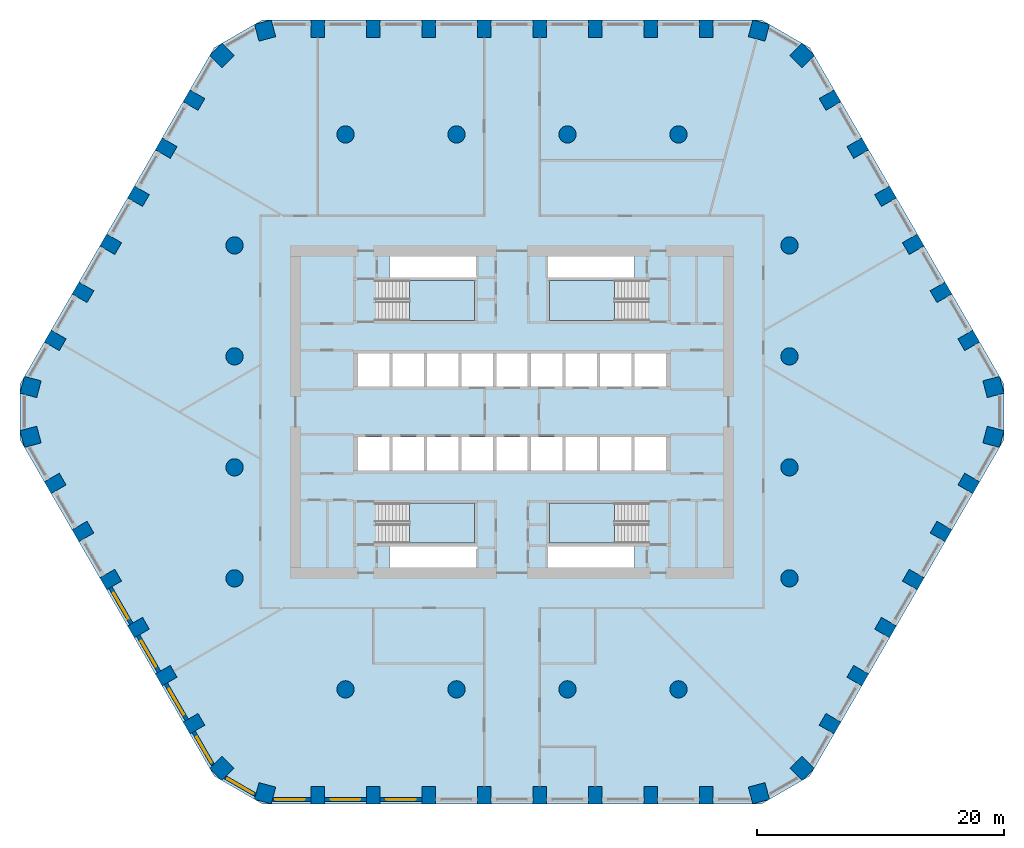
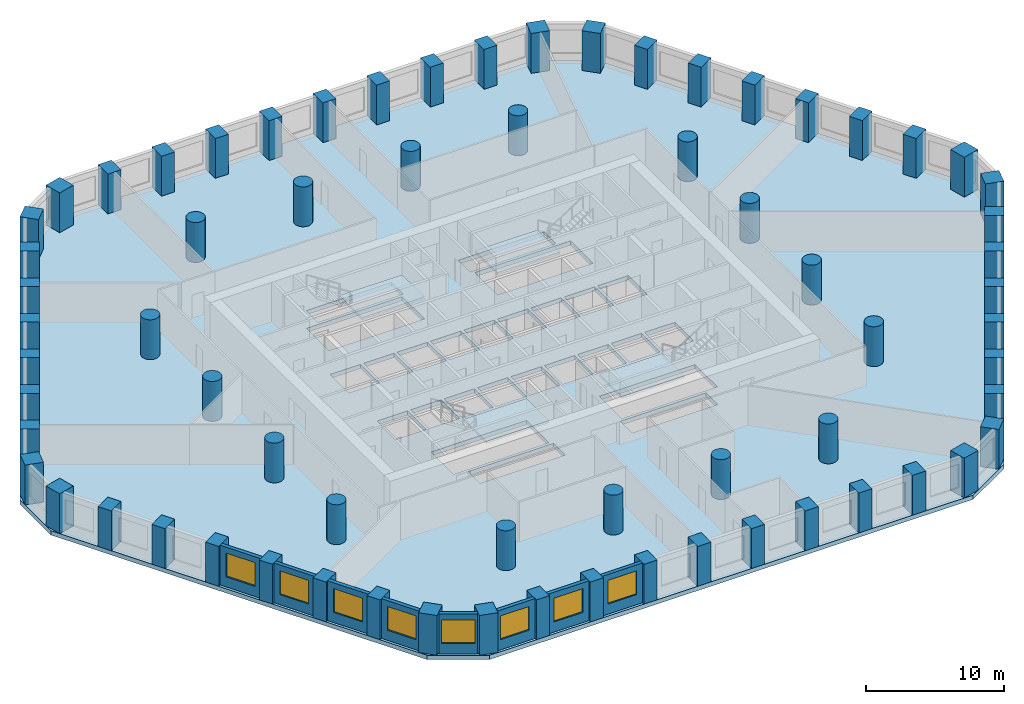
# One storey, part 1 of 10: 68 columns, 8 walls, 8 windows, 5 slabs, 8 openings, 4 elements without a shape of their own.
"""IFC4 building model written with IfcOpenShell, lengths in metres."""

import ifcopenshell
import ifcopenshell.guid

model = None  # the IFC model being written
_history = None  # IfcOwnerHistory: only IFC2X3 demands one
_inside = {}  # id of a spatial element -> (the spatial element, [elements in it])
_under = {}  # id of a project, library or spatial element -> (it, [spatial elements below it])
_declared = {}  # id of a project -> (the project, [libraries it declares])
_typed = {}  # id of a type object -> (the type object, [elements of that type])
_made_of = {}  # id of a material, layer set ... -> (it, [elements and type objects made of it])


def new_model(schema):
    """Start an empty IFC model of exactly this schema.

    Asked for "IFC4X3", IfcOpenShell would pick the latest addendum, in which some entities
    have other attributes; the version numbers below select the first issue.
    IFC2X3 requires an IfcOwnerHistory on every rooted entity: one is made here for all.
    """
    global model, _history
    if schema == "IFC4X3":
        model = ifcopenshell.file(schema_version=(4, 3, 0, 0))
    else:
        model = ifcopenshell.file(schema=schema)
    _inside.clear()
    _under.clear()
    _declared.clear()
    _typed.clear()
    _made_of.clear()
    _history = None
    if model.schema == "IFC2X3":
        org = make("IfcOrganization", Name="unknown")
        user = make(
            "IfcPersonAndOrganization",
            ThePerson=make("IfcPerson", FamilyName="unknown"),
            TheOrganization=org,
        )
        app = make(
            "IfcApplication",
            ApplicationDeveloper=org,
            Version="unknown",
            ApplicationFullName="unknown",
            ApplicationIdentifier="unknown",
        )
        _history = make(
            "IfcOwnerHistory",
            OwningUser=user,
            OwningApplication=app,
            ChangeAction="ADDED",
            CreationDate=0,
        )
    return model


def make(cls, **values):
    """One entity of the class cls with the attributes given. An attribute that is None is left unset."""
    return model.create_entity(
        cls, **{name: value for name, value in values.items() if value is not None}
    )


def rooted(cls, **values):
    """An entity with a GlobalId (a new one), such as an element, a storey or a relation."""
    return make(cls, GlobalId=ifcopenshell.guid.new(), OwnerHistory=_history, **values)


def si_unit(unit_type, name, prefix=None):
    """IfcSIUnit, for example si_unit("LENGTHUNIT", "METRE", prefix="MILLI")."""
    return make("IfcSIUnit", UnitType=unit_type, Prefix=prefix, Name=name)


def assignment(units):
    """IfcUnitAssignment: the units of a project."""
    return None if units is None else make("IfcUnitAssignment", Units=units)


def point(xyz):
    """IfcCartesianPoint."""
    return None if xyz is None else make("IfcCartesianPoint", Coordinates=xyz)


def direction(xyz):
    """IfcDirection."""
    return None if xyz is None else make("IfcDirection", DirectionRatios=xyz)


def frame(location, z_axis=None, x_axis=None):
    """IfcAxis2Placement3D, a coordinate frame: its origin and axes. An axis left out is left unset."""
    return make(
        "IfcAxis2Placement3D",
        Location=point(location),
        Axis=direction(z_axis),
        RefDirection=direction(x_axis),
    )


def frame_2d(location, x_axis=None):
    """IfcAxis2Placement2D, a coordinate frame in the plane: its origin and x axis."""
    return make(
        "IfcAxis2Placement2D", Location=point(location), RefDirection=direction(x_axis)
    )


def origin():
    """The frame at (0, 0, 0) with its axes left unset."""
    return frame((0.0, 0.0, 0.0))


def origin_2d():
    """The frame at (0, 0) in the plane with its x axis left unset."""
    return frame_2d((0.0, 0.0))


def place(relative_to, where):
    """IfcLocalPlacement: puts the frame where relative to a parent placement (None: the world)."""
    return make(
        "IfcLocalPlacement", PlacementRelTo=relative_to, RelativePlacement=where
    )


def context(
    kind, dimensions, precision=None, world=None, true_north=None, identifier=None
):
    """IfcGeometricRepresentationContext, for example the 3D "Model" context."""
    return make(
        "IfcGeometricRepresentationContext",
        ContextIdentifier=identifier,
        ContextType=kind,
        CoordinateSpaceDimension=dimensions,
        Precision=precision,
        WorldCoordinateSystem=world,
        TrueNorth=true_north,
    )


def subcontext(parent, identifier, kind, view, scale=None):
    """IfcGeometricRepresentationSubContext, for example "Body" below "Model"."""
    return make(
        "IfcGeometricRepresentationSubContext",
        ContextIdentifier=identifier,
        ContextType=kind,
        ParentContext=parent,
        TargetScale=scale,
        TargetView=view,
    )


def project(units=None, contexts=None):
    """IfcProject with its units and contexts."""
    return rooted(
        "IfcProject",
        Name="project",
        RepresentationContexts=contexts,
        UnitsInContext=assignment(units),
    )


def spatial(cls, under=None, at=None, **own):
    """A site, building, storey or space (cls), placed at a placement, below another one or the project."""
    s = rooted(cls, ObjectPlacement=at, **own)
    if under is not None:
        _under.setdefault(under.id(), (under, []))[1].append(s)
    return s


def polyline(points):
    """IfcPolyline through the points."""
    return make("IfcPolyline", Points=[point(p) for p in points])


def profile(cls, at=None, kind="AREA", **sizes):
    """A parametric profile (cls). Its sizes go by their IFC names, for example OverallWidth=200.0."""
    return make(cls, ProfileType=kind, Position=at, **sizes)


def rectangle(**sizes):
    """IfcRectangleProfileDef."""
    return profile("IfcRectangleProfileDef", **sizes)


def circle(**sizes):
    """IfcCircleProfileDef."""
    return profile("IfcCircleProfileDef", **sizes)


def outline(outer, holes=None, kind="AREA"):
    """IfcArbitraryClosedProfileDef: a profile drawn as a closed curve; with holes, ...WithVoids."""
    if holes is None:
        return make("IfcArbitraryClosedProfileDef", ProfileType=kind, OuterCurve=outer)
    return make(
        "IfcArbitraryProfileDefWithVoids",
        ProfileType=kind,
        OuterCurve=outer,
        InnerCurves=holes,
    )


def extrude(swept, where, along, depth):
    """IfcExtrudedAreaSolid: the profile swept, set in the frame where, extruded along a direction by depth."""
    return make(
        "IfcExtrudedAreaSolid",
        SweptArea=swept,
        Position=where,
        ExtrudedDirection=direction(along),
        Depth=depth,
    )


def shape(context_of_items, identifier, shape_type, items):
    """IfcShapeRepresentation: the items that make up one representation, for example the "Body"."""
    return make(
        "IfcShapeRepresentation",
        ContextOfItems=context_of_items,
        RepresentationIdentifier=identifier,
        RepresentationType=shape_type,
        Items=items,
    )


def material(Name=None, Category=None):
    """IfcMaterial."""
    return make("IfcMaterial", Name=Name, Category=Category)


def layer(
    of_material, thickness, ventilated=None, Name=None, Category=None, Priority=None
):
    """IfcMaterialLayer: one layer of a wall or slab, of a material (None: an air gap)."""
    return make(
        "IfcMaterialLayer",
        Material=of_material,
        LayerThickness=thickness,
        IsVentilated=ventilated,
        Name=Name,
        Category=Category,
        Priority=Priority,
    )


def layer_set(layers, Name=None):
    """IfcMaterialLayerSet."""
    return make("IfcMaterialLayerSet", MaterialLayers=layers, LayerSetName=Name)


def material_profile(
    of_material, cross_section, Name=None, Category=None, Priority=None
):
    """IfcMaterialProfile: a cross section and its material."""
    return make(
        "IfcMaterialProfile",
        Name=Name,
        Material=of_material,
        Profile=cross_section,
        Priority=Priority,
        Category=Category,
    )


def profile_set(profiles, Name=None, composite=None):
    """IfcMaterialProfileSet."""
    return make(
        "IfcMaterialProfileSet",
        Name=Name,
        MaterialProfiles=profiles,
        CompositeProfile=composite,
    )


def made_of(thing, what):
    """Note that an element or type object is made of a material, layer set ...; save() writes the relation."""
    if what is not None:
        _made_of.setdefault(what.id(), (what, []))[1].append(thing)
    return thing


def type_object(cls, material=None, **own):
    """A type object (cls), such as IfcWallType, which elements share."""
    return made_of(rooted(cls, **own), material)


def element(
    cls,
    number,
    at=None,
    inside=None,
    cuts=None,
    type_object=None,
    material=None,
    context=None,
    identifier="Body",
    shape_type=None,
    held_by="IfcProductDefinitionShape",
    body=None,
    shapes=None,
    **own,
):
    """One element of the class cls, such as IfcWall. Its Tag is "e" and its number.

    at: its placement. inside: the storey or other place that contains it. cuts: it is an
    opening in that element (IfcRelVoidsElement). A single representation is given by context,
    identifier, shape_type and body (its items); several are given by shapes. held_by: the class
    of the entity that holds the representations. save() writes the other relations.
    """
    e = rooted(cls, Tag="e%d" % number, ObjectPlacement=at, **own)
    if body is not None:
        shapes = [shape(context, identifier, shape_type, body)]
    if shapes is not None:
        e.Representation = make(held_by, Representations=shapes)
    if inside is not None:
        _inside.setdefault(inside.id(), (inside, []))[1].append(e)
    if cuts is not None:
        rooted(
            "IfcRelVoidsElement", RelatingBuildingElement=cuts, RelatedOpeningElement=e
        )
    if type_object is not None:
        _typed.setdefault(type_object.id(), (type_object, []))[1].append(e)
    return made_of(e, material)


def fill(opening, filler):
    """IfcRelFillsElement: the door or window that sits in an opening."""
    return rooted(
        "IfcRelFillsElement",
        RelatingOpeningElement=opening,
        RelatedBuildingElement=filler,
    )


def aggregate(whole, parts):
    """IfcRelAggregates: a whole, such as a stair, and the parts it consists of."""
    return rooted("IfcRelAggregates", RelatingObject=whole, RelatedObjects=parts)


def save(model, path):
    """Write the relations noted so far, then the file.

    IfcRelAggregates (storeys below a building ...), IfcRelContainedInSpatialStructure (elements
    in a storey), IfcRelDefinesByType, IfcRelAssociatesMaterial and IfcRelDeclares: one each for
    every whole, place, type object, material and project.
    """
    for whole, parts in _under.values():
        aggregate(whole, parts)
    for where, things in _inside.values():
        rooted(
            "IfcRelContainedInSpatialStructure",
            RelatedElements=things,
            RelatingStructure=where,
        )
    for kind, things in _typed.values():
        rooted("IfcRelDefinesByType", RelatedObjects=things, RelatingType=kind)
    for what, things in _made_of.values():
        rooted("IfcRelAssociatesMaterial", RelatedObjects=things, RelatingMaterial=what)
    for by, libraries in _declared.values():
        rooted("IfcRelDeclares", RelatingContext=by, RelatedDefinitions=libraries)
    model.write(path)


model = new_model("IFC4")

# Units and contexts
model_context = context("Model", 3, precision=1e-05, world=origin(), true_north=direction((0.0, 1.0)))
body_context = subcontext(model_context, "Body", "Model", "MODEL_VIEW")
ifc_project = project(units=[si_unit("LENGTHUNIT", "METRE"), si_unit("AREAUNIT", "SQUARE_METRE"), si_unit("VOLUMEUNIT", "CUBIC_METRE"), si_unit("PLANEANGLEUNIT", "RADIAN"), si_unit("MASSUNIT", "GRAM", prefix="KILO")], contexts=[model_context])

# Site, building, storey
site_placement = place(None, origin())
site = spatial("IfcSite", under=ifc_project, at=site_placement, CompositionType="ELEMENT")
building_placement = place(site_placement, origin())
building = spatial("IfcBuilding", under=site, at=building_placement, Name="Dhurran Vertical Campus", CompositionType="ELEMENT")
storey_placement = place(building_placement, frame((0.0, 0.0, 41.699951171875)))
storey = spatial("IfcBuildingStorey", under=building, at=storey_placement, Name="L09", CompositionType="ELEMENT", Elevation=41.699951171875)

# Columns
ifc_material_1 = material(Name="Concrete C70/85", Category="concrete")
ifc_material_profile_1 = material_profile(ifc_material_1, rectangle(XDim=1.10009765625, YDim=1.39990234375, at=origin_2d()), Name="RC 1100x1400")
ifc_profile_set_1 = profile_set([ifc_material_profile_1], Name="Concrete C70/85")
column_type_1 = type_object("IfcColumnType", Name="FR COL RC 1100x1400 C70/85", PredefinedType="COLUMN", material=ifc_profile_set_1)
for number, where, z_axis, x_axis, name in (
    (1, (-15.75, -31.079833984375, 0.0), (0.0, 0.0, 1.0), (1.0, 0.0, 0.0), "Perimeter pier PP1.01"),
    (2, (-11.25, -31.079833984375, 0.0), (0.0, 0.0, 1.0), (1.0, 0.0, 0.0), "Perimeter pier PP1.02"),
    (3, (-6.75, -31.079833984375, 0.0), (0.0, 0.0, 1.0), (1.0, 0.0, 0.0), "Perimeter pier PP1.03"),
    (4, (-2.25, -31.079833984375, 0.0), (0.0, 0.0, 1.0), (1.0, 0.0, 0.0), "Perimeter pier PP1.04"),
    (5, (2.25, -31.079833984375, 0.0), (0.0, 0.0, 1.0), (1.0, 0.0, 0.0), "Perimeter pier PP1.05"),
    (6, (6.75, -31.079833984375, 0.0), (0.0, 0.0, 1.0), (1.0, 0.0, 0.0), "Perimeter pier PP1.06"),
    (7, (11.25, -31.079833984375, 0.0), (0.0, 0.0, 1.0), (1.0, 0.0, 0.0), "Perimeter pier PP1.07"),
    (8, (15.75, -31.079833984375, 0.0), (0.0, 0.0, 1.0), (1.0, 0.0, 0.0), "Perimeter pier PP1.08"),
    (9, (25.791015625, -25.28271484375, 0.0), (0.0, 0.0, 1.0), (0.5, 0.866025403784, 0.0), "Perimeter pier PP1.11"),
    (10, (28.041015625, -21.385498046875, 0.0), (0.0, 0.0, 1.0), (0.5, 0.866025403784, 0.0), "Perimeter pier PP1.12"),
    (11, (30.291015625, -17.488525390625, 0.0), (0.0, 0.0, 1.0), (0.5, 0.866025403784, 0.0), "Perimeter pier PP1.13"),
    (12, (32.541015625, -13.59130859375, 0.0), (0.0, 0.0, 1.0), (0.5, 0.866025403784, 0.0), "Perimeter pier PP1.14"),
    (13, (34.791015625, -9.694091796875, 0.0), (0.0, 0.0, 1.0), (0.5, 0.866025403784, 0.0), "Perimeter pier PP1.15"),
    (14, (37.041015625, -5.797119140625, 0.0), (0.0, 0.0, 1.0), (0.5, 0.866025403784, 0.0), "Perimeter pier PP1.16"),
    (15, (37.041015625, 5.797119140625, 0.0), (0.0, 0.0, 1.0), (-0.5, 0.866025403784, 0.0), "Perimeter pier PP1.19"),
    (16, (34.791015625, 9.694091796875, 0.0), (0.0, 0.0, 1.0), (-0.5, 0.866025403784, 0.0), "Perimeter pier PP1.20"),
    (17, (32.541015625, 13.59130859375, 0.0), (0.0, 0.0, 1.0), (-0.5, 0.866025403784, 0.0), "Perimeter pier PP1.21"),
    (18, (30.291015625, 17.488525390625, 0.0), (0.0, 0.0, 1.0), (-0.5, 0.866025403784, 0.0), "Perimeter pier PP1.22"),
    (19, (28.041015625, 21.385498046875, 0.0), (0.0, 0.0, 1.0), (-0.5, 0.866025403784, 0.0), "Perimeter pier PP1.23"),
    (20, (25.791015625, 25.28271484375, 0.0), (0.0, 0.0, 1.0), (-0.5, 0.866025403784, 0.0), "Perimeter pier PP1.24"),
    (21, (15.75, 31.079833984375, 0.0), (0.0, 0.0, 1.0), (-1.0, 0.0, 0.0), "Perimeter pier PP1.27"),
    (22, (11.25, 31.079833984375, 0.0), (0.0, 0.0, 1.0), (-1.0, 0.0, 0.0), "Perimeter pier PP1.28"),
    (23, (6.75, 31.079833984375, 0.0), (0.0, 0.0, 1.0), (-1.0, 0.0, 0.0), "Perimeter pier PP1.29"),
    (24, (2.25, 31.079833984375, 0.0), (0.0, 0.0, 1.0), (-1.0, 0.0, 0.0), "Perimeter pier PP1.30"),
    (25, (-2.25, 31.079833984375, 0.0), (0.0, 0.0, 1.0), (-1.0, 0.0, 0.0), "Perimeter pier PP1.31"),
    (26, (-6.75, 31.079833984375, 0.0), (0.0, 0.0, 1.0), (-1.0, 0.0, 0.0), "Perimeter pier PP1.32"),
    (27, (-11.25, 31.079833984375, 0.0), (0.0, 0.0, 1.0), (-1.0, 0.0, 0.0), "Perimeter pier PP1.33"),
    (28, (-15.75, 31.079833984375, 0.0), (0.0, 0.0, 1.0), (-1.0, 0.0, 0.0), "Perimeter pier PP1.34"),
    (29, (-25.791015625, 25.28271484375, 0.0), (0.0, 0.0, 1.0), (-0.5, -0.866025403784, 0.0), "Perimeter pier PP1.37"),
    (30, (-28.041015625, 21.385498046875, 0.0), (0.0, 0.0, 1.0), (-0.5, -0.866025403784, 0.0), "Perimeter pier PP1.38"),
    (31, (-30.291015625, 17.488525390625, 0.0), (0.0, 0.0, 1.0), (-0.5, -0.866025403784, 0.0), "Perimeter pier PP1.39"),
    (32, (-32.541015625, 13.59130859375, 0.0), (0.0, 0.0, 1.0), (-0.5, -0.866025403784, 0.0), "Perimeter pier PP1.40"),
    (33, (-34.791015625, 9.694091796875, 0.0), (0.0, 0.0, 1.0), (-0.5, -0.866025403784, 0.0), "Perimeter pier PP1.41"),
    (34, (-37.041015625, 5.797119140625, 0.0), (0.0, 0.0, 1.0), (-0.5, -0.866025403784, 0.0), "Perimeter pier PP1.42"),
    (35, (-37.041015625, -5.797119140625, 0.0), (0.0, 0.0, 1.0), (0.5, -0.866025403784, 0.0), "Perimeter pier PP1.45"),
    (36, (-34.791015625, -9.694091796875, 0.0), (0.0, 0.0, 1.0), (0.5, -0.866025403784, 0.0), "Perimeter pier PP1.46"),
    (37, (-32.541015625, -13.59130859375, 0.0), (0.0, 0.0, 1.0), (0.5, -0.866025403784, 0.0), "Perimeter pier PP1.47"),
    (38, (-30.291015625, -17.488525390625, 0.0), (0.0, 0.0, 1.0), (0.5, -0.866025403784, 0.0), "Perimeter pier PP1.48"),
    (39, (-28.041015625, -21.385498046875, 0.0), (0.0, 0.0, 1.0), (0.5, -0.866025403784, 0.0), "Perimeter pier PP1.49"),
    (40, (-25.791015625, -25.28271484375, 0.0), (0.0, 0.0, 1.0), (0.5, -0.866025403784, 0.0), "Perimeter pier PP1.50"),
):
    element("IfcColumn", number, at=place(storey_placement, frame(where, z_axis=z_axis, x_axis=x_axis)), inside=storey, type_object=column_type_1, Name=name, PredefinedType="COLUMN", context=body_context, shape_type="SweptSolid", body=[
        extrude(rectangle(XDim=1.10009765625, YDim=1.39990234375, at=origin_2d()), origin(), (0.0, 0.0, 1.0), 3.525146484375),
    ])
ifc_material_2 = material(Name="Concrete C70/85", Category="concrete")
ifc_material_profile_2 = material_profile(ifc_material_2, rectangle(XDim=1.39990234375, YDim=1.39990234375, at=origin_2d()), Name="RC 1400x1400")
ifc_profile_set_2 = profile_set([ifc_material_profile_2], Name="Concrete C70/85")
column_type_2 = type_object("IfcColumnType", Name="FR COL RC 1400x1400 C70/85", PredefinedType="COLUMN", material=ifc_profile_set_2)
for number, where, z_axis, x_axis, name in (
    (41, (-20.020263671875, -30.922607421875, 0.0), (0.0, 0.0, 1.0), (0.965925826289, -0.258819045103, 0.0), "Perimeter pier PP1.00"),
    (42, (20.020263671875, -30.922607421875, 0.0), (0.0, 0.0, 1.0), (0.965925826289, 0.258819045103, 0.0), "Perimeter pier PP1.09"),
    (43, (23.51953125, -28.902099609375, 0.0), (0.0, 0.0, 1.0), (0.707106781187, 0.707106781187, 0.0), "Perimeter pier PP1.10"),
    (44, (39.039794921875, -2.020263671875, 0.0), (0.0, 0.0, 1.0), (0.258819045103, 0.965925826289, 0.0), "Perimeter pier PP1.17"),
    (45, (39.039794921875, 2.020263671875, 0.0), (0.0, 0.0, 1.0), (-0.258819045103, 0.965925826289, 0.0), "Perimeter pier PP1.18"),
    (46, (23.51953125, 28.902099609375, 0.0), (0.0, 0.0, 1.0), (-0.707106781187, 0.707106781187, 0.0), "Perimeter pier PP1.25"),
    (47, (20.020263671875, 30.922607421875, 0.0), (0.0, 0.0, 1.0), (-0.965925826289, 0.258819045103, 0.0), "Perimeter pier PP1.26"),
    (48, (-20.020263671875, 30.922607421875, 0.0), (0.0, 0.0, 1.0), (-0.965925826289, -0.258819045103, 0.0), "Perimeter pier PP1.35"),
    (49, (-23.51953125, 28.902099609375, 0.0), (0.0, 0.0, 1.0), (-0.707106781187, -0.707106781187, 0.0), "Perimeter pier PP1.36"),
    (50, (-39.039794921875, 2.020263671875, 0.0), (0.0, 0.0, 1.0), (-0.258819045103, -0.965925826289, 0.0), "Perimeter pier PP1.43"),
    (51, (-39.039794921875, -2.020263671875, 0.0), (0.0, 0.0, 1.0), (0.258819045103, -0.965925826289, 0.0), "Perimeter pier PP1.44"),
    (52, (-23.51953125, -28.902099609375, 0.0), (0.0, 0.0, 1.0), (0.707106781187, -0.707106781187, 0.0), "Perimeter pier PP1.51"),
):
    element("IfcColumn", number, at=place(storey_placement, frame(where, z_axis=z_axis, x_axis=x_axis)), inside=storey, type_object=column_type_2, Name=name, PredefinedType="COLUMN", context=body_context, shape_type="SweptSolid", body=[
        extrude(rectangle(XDim=1.39990234375, YDim=1.39990234375, at=origin_2d()), origin(), (0.0, 0.0, 1.0), 3.525146484375),
    ])
ifc_material_3 = material(Name="Concrete C70/85", Category="concrete")
ifc_material_profile_3 = material_profile(ifc_material_3, circle(Radius=0.699951171875, at=origin_2d()), Name="RCC D1400")
ifc_profile_set_3 = profile_set([ifc_material_profile_3], Name="Concrete C70/85")
column_type_3 = type_object("IfcColumnType", Name="FR COL RCC D1400 C70/85", PredefinedType="COLUMN", material=ifc_profile_set_3)
for number, where, z_axis, x_axis, name in (
    (53, (-22.5, -13.5, 0.0), (0.0, 0.0, 1.0), (1.0, 0.0, 0.0), "Inner column IC1-D4"),
    (54, (-22.5, -4.5, 0.0), (0.0, 0.0, 1.0), (1.0, 0.0, 0.0), "Inner column IC1-D5"),
    (55, (-22.5, 4.5, 0.0), (0.0, 0.0, 1.0), (1.0, 0.0, 0.0), "Inner column IC1-D6"),
    (56, (-22.5, 13.5, 0.0), (0.0, 0.0, 1.0), (1.0, 0.0, 0.0), "Inner column IC1-D7"),
    (57, (-13.5, -22.5, 0.0), (0.0, 0.0, 1.0), (1.0, 0.0, 0.0), "Inner column IC1-E3"),
    (58, (-13.5, 22.5, 0.0), (0.0, 0.0, 1.0), (1.0, 0.0, 0.0), "Inner column IC1-E8"),
    (59, (-4.5, -22.5, 0.0), (0.0, 0.0, 1.0), (1.0, 0.0, 0.0), "Inner column IC1-F3"),
    (60, (-4.5, 22.5, 0.0), (0.0, 0.0, 1.0), (1.0, 0.0, 0.0), "Inner column IC1-F8"),
    (61, (4.5, -22.5, 0.0), (0.0, 0.0, 1.0), (1.0, 0.0, 0.0), "Inner column IC1-G3"),
    (62, (4.5, 22.5, 0.0), (0.0, 0.0, 1.0), (1.0, 0.0, 0.0), "Inner column IC1-G8"),
    (63, (13.5, -22.5, 0.0), (0.0, 0.0, 1.0), (1.0, 0.0, 0.0), "Inner column IC1-H3"),
    (64, (13.5, 22.5, 0.0), (0.0, 0.0, 1.0), (1.0, 0.0, 0.0), "Inner column IC1-H8"),
    (65, (22.5, -13.5, 0.0), (0.0, 0.0, 1.0), (1.0, 0.0, 0.0), "Inner column IC1-J4"),
    (66, (22.5, -4.5, 0.0), (0.0, 0.0, 1.0), (1.0, 0.0, 0.0), "Inner column IC1-J5"),
    (67, (22.5, 4.5, 0.0), (0.0, 0.0, 1.0), (1.0, 0.0, 0.0), "Inner column IC1-J6"),
    (68, (22.5, 13.5, 0.0), (0.0, 0.0, 1.0), (1.0, 0.0, 0.0), "Inner column IC1-J7"),
):
    element("IfcColumn", number, at=place(storey_placement, frame(where, z_axis=z_axis, x_axis=x_axis)), inside=storey, type_object=column_type_3, Name=name, PredefinedType="COLUMN", context=body_context, shape_type="SweptSolid", body=[
        extrude(circle(Radius=0.699951171875, at=origin_2d()), origin(), (0.0, 0.0, 1.0), 3.525146484375),
    ])

# Slab
ifc_material_4 = material(Name="Concrete C40/50", Category="concrete")
ifc_layer_1 = layer(ifc_material_4, 0.375)
ifc_layer_set_1 = layer_set([ifc_layer_1], Name="Concrete C40/50")
slab_type_1 = type_object("IfcSlabType", Name="FR POST-TENSIONED FLAT SLAB 375", PredefinedType="FLOOR", material=ifc_layer_set_1)
slab_1_placement = place(storey_placement, frame((0.0, 0.0, -0.375)))
element("IfcSlab", 69, at=slab_1_placement, inside=storey, type_object=slab_type_1, Name="Floor slab L09", PredefinedType="FLOOR", context=body_context, shape_type="SweptSolid", body=[
    extrude(outline(polyline([(-20.25, -31.77978515625), (20.25, -31.77978515625), (24.147216796875, -29.52978515625), (39.897216796875, -2.25), (39.897216796875, 2.25), (24.147216796875, 29.52978515625), (20.25, 31.77978515625), (-20.25, 31.77978515625), (-24.147216796875, 29.52978515625), (-39.897216796875, 2.25), (-39.897216796875, -2.25), (-24.147216796875, -29.52978515625), (-20.25, -31.77978515625)]), holes=[polyline([(-12.47509765625, 2.050048828125), (-9.925048828125, 2.050048828125), (-9.925048828125, 4.75), (-12.47509765625, 4.75), (-12.47509765625, 2.050048828125)]), polyline([(-9.675048828125, 2.050048828125), (-7.125, 2.050048828125), (-7.125, 4.75), (-9.675048828125, 4.75), (-9.675048828125, 2.050048828125)]), polyline([(-6.875, 2.050048828125), (-4.324951171875, 2.050048828125), (-4.324951171875, 4.75), (-6.875, 4.75), (-6.875, 2.050048828125)]), polyline([(-1.27490234375, 2.050048828125), (1.27490234375, 2.050048828125), (1.27490234375, 4.75), (-1.27490234375, 4.75), (-1.27490234375, 2.050048828125)]), polyline([(9.925048828125, 2.050048828125), (12.47509765625, 2.050048828125), (12.47509765625, 4.75), (9.925048828125, 4.75), (9.925048828125, 2.050048828125)]), polyline([(-1.27490234375, -4.75), (1.27490234375, -4.75), (1.27490234375, -2.050048828125), (-1.27490234375, -2.050048828125), (-1.27490234375, -4.75)]), polyline([(1.52490234375, -4.75), (4.074951171875, -4.75), (4.074951171875, -2.050048828125), (1.52490234375, -2.050048828125), (1.52490234375, -4.75)]), polyline([(4.324951171875, -4.75), (6.875, -4.75), (6.875, -2.050048828125), (4.324951171875, -2.050048828125), (4.324951171875, -4.75)]), polyline([(7.125, -4.75), (9.675048828125, -4.75), (9.675048828125, -2.050048828125), (7.125, -2.050048828125), (7.125, -4.75)]), polyline([(9.925048828125, -4.75), (12.47509765625, -4.75), (12.47509765625, -2.050048828125), (9.925048828125, -2.050048828125), (9.925048828125, -4.75)]), polyline([(-4.074951171875, 2.050048828125), (-1.52490234375, 2.050048828125), (-1.52490234375, 4.75), (-4.074951171875, 4.75), (-4.074951171875, 2.050048828125)]), polyline([(1.52490234375, 2.050048828125), (4.074951171875, 2.050048828125), (4.074951171875, 4.75), (1.52490234375, 4.75), (1.52490234375, 2.050048828125)]), polyline([(4.324951171875, 2.050048828125), (6.875, 2.050048828125), (6.875, 4.75), (4.324951171875, 4.75), (4.324951171875, 2.050048828125)]), polyline([(7.125, 2.050048828125), (9.675048828125, 2.050048828125), (9.675048828125, 4.75), (7.125, 4.75), (7.125, 2.050048828125)]), polyline([(-12.47509765625, -4.75), (-9.925048828125, -4.75), (-9.925048828125, -2.050048828125), (-12.47509765625, -2.050048828125), (-12.47509765625, -4.75)]), polyline([(-9.675048828125, -4.75), (-7.125, -4.75), (-7.125, -2.050048828125), (-9.675048828125, -2.050048828125), (-9.675048828125, -4.75)]), polyline([(-6.875, -4.75), (-4.324951171875, -4.75), (-4.324951171875, -2.050048828125), (-6.875, -2.050048828125), (-6.875, -4.75)]), polyline([(-4.074951171875, -4.75), (-1.52490234375, -4.75), (-1.52490234375, -2.050048828125), (-4.074951171875, -2.050048828125), (-4.074951171875, -4.75)]), polyline([(-11.050048828125, 7.39990234375), (-3.050048828125, 7.39990234375), (-3.050048828125, 10.64990234375), (-11.050048828125, 10.64990234375), (-11.050048828125, 7.39990234375)]), polyline([(3.050048828125, 7.39990234375), (11.050048828125, 7.39990234375), (11.050048828125, 10.64990234375), (3.050048828125, 10.64990234375), (3.050048828125, 7.39990234375)]), polyline([(-11.050048828125, -10.64990234375), (-3.050048828125, -10.64990234375), (-3.050048828125, -7.39990234375), (-11.050048828125, -7.39990234375), (-11.050048828125, -10.64990234375)]), polyline([(3.050048828125, -10.64990234375), (11.050048828125, -10.64990234375), (11.050048828125, -7.39990234375), (3.050048828125, -7.39990234375), (3.050048828125, -10.64990234375)]), polyline([(-9.949951171875, 10.89990234375), (-9.949951171875, 12.60009765625), (-2.800048828125, 12.60009765625), (-2.800048828125, 10.89990234375), (-9.949951171875, 10.89990234375)]), polyline([(9.949951171875, 12.60009765625), (9.949951171875, 10.89990234375), (2.800048828125, 10.89990234375), (2.800048828125, 12.60009765625), (9.949951171875, 12.60009765625)]), polyline([(-9.949951171875, -12.60009765625), (-9.949951171875, -10.89990234375), (-2.800048828125, -10.89990234375), (-2.800048828125, -12.60009765625), (-9.949951171875, -12.60009765625)]), polyline([(9.949951171875, -10.89990234375), (9.949951171875, -12.60009765625), (2.800048828125, -12.60009765625), (2.800048828125, -10.89990234375), (9.949951171875, -10.89990234375)])]), origin(), (0.0, 0.0, 1.0), 0.375),
])

# Stair, slab
ifc_material_5 = material(Name="Concrete C40/50", Category="concrete")
stair_type = type_object("IfcStairType", Name="co-ST-CORE", PredefinedType="HALF_TURN_STAIR", material=ifc_material_5)
stair_1_placement = place(storey_placement, origin())
stair_1 = element("IfcStair", 70, at=stair_1_placement, inside=storey, type_object=stair_type, Name="L09 Protected exit stair ST1", PredefinedType="HALF_TURN_STAIR")
ifc_material_6 = material(Name="Concrete C40/50", Category="concrete")
ifc_layer_2 = layer(ifc_material_6, 0.199951171875)
ifc_layer_set_2 = layer_set([ifc_layer_2], Name="Concrete C40/50")
slab_type_2 = type_object("IfcSlabType", Name="co-SL-LANDING", PredefinedType="LANDING", material=ifc_layer_set_2)
slab_2_placement = place(storey_placement, frame((0.0, 0.0, 1.75)))
slab_2 = element("IfcSlab", 71, at=slab_2_placement, type_object=slab_type_2, Name="ST1 landing 1", PredefinedType="LANDING", context=body_context, shape_type="SweptSolid", body=[
    extrude(outline(polyline([(-8.300048828125, 7.39990234375), (-3.050048828125, 7.39990234375), (-3.050048828125, 10.64990234375), (-8.300048828125, 10.64990234375), (-8.300048828125, 7.39990234375)])), origin(), (0.0, 0.0, 1.0), 0.199951171875),
])
aggregate(stair_1, [slab_2])

stair_2_placement = place(storey_placement, origin())
stair_2 = element("IfcStair", 72, at=stair_2_placement, inside=storey, type_object=stair_type, Name="L09 Protected exit stair ST2", PredefinedType="HALF_TURN_STAIR")
slab_3_placement = place(storey_placement, frame((0.0, 0.0, 1.75)))
slab_3 = element("IfcSlab", 73, at=slab_3_placement, type_object=slab_type_2, Name="ST2 landing 1", PredefinedType="LANDING", context=body_context, shape_type="SweptSolid", body=[
    extrude(outline(polyline([(8.300048828125, 10.64990234375), (3.050048828125, 10.64990234375), (3.050048828125, 7.39990234375), (8.300048828125, 7.39990234375), (8.300048828125, 10.64990234375)])), origin(), (0.0, 0.0, 1.0), 0.199951171875),
])
aggregate(stair_2, [slab_3])

stair_3_placement = place(storey_placement, origin())
stair_3 = element("IfcStair", 74, at=stair_3_placement, inside=storey, type_object=stair_type, Name="L09 Protected exit stair ST3", PredefinedType="HALF_TURN_STAIR")
slab_4_placement = place(storey_placement, frame((0.0, 0.0, 1.75)))
slab_4 = element("IfcSlab", 75, at=slab_4_placement, type_object=slab_type_2, Name="ST3 landing 1", PredefinedType="LANDING", context=body_context, shape_type="SweptSolid", body=[
    extrude(outline(polyline([(-8.300048828125, -10.64990234375), (-3.050048828125, -10.64990234375), (-3.050048828125, -7.39990234375), (-8.300048828125, -7.39990234375), (-8.300048828125, -10.64990234375)])), origin(), (0.0, 0.0, 1.0), 0.199951171875),
])
aggregate(stair_3, [slab_4])

stair_4_placement = place(storey_placement, origin())
stair_4 = element("IfcStair", 76, at=stair_4_placement, inside=storey, type_object=stair_type, Name="L09 Protected exit stair ST4", PredefinedType="HALF_TURN_STAIR")
slab_5_placement = place(storey_placement, frame((0.0, 0.0, 1.75)))
slab_5 = element("IfcSlab", 77, at=slab_5_placement, type_object=slab_type_2, Name="ST4 landing 1", PredefinedType="LANDING", context=body_context, shape_type="SweptSolid", body=[
    extrude(outline(polyline([(8.300048828125, -7.39990234375), (3.050048828125, -7.39990234375), (3.050048828125, -10.64990234375), (8.300048828125, -10.64990234375), (8.300048828125, -7.39990234375)])), origin(), (0.0, 0.0, 1.0), 0.199951171875),
])
aggregate(stair_4, [slab_5])

# Wall, opening, window
ifc_material_7 = material(Name="Precast concrete C50/60", Category="concrete")
ifc_layer_3 = layer(ifc_material_7, 0.300048828125)
ifc_layer_set_3 = layer_set([ifc_layer_3], Name="Precast concrete C50/60")
wall_type = type_object("IfcWallType", Name="Precast spandrel wall 300", PredefinedType="SOLIDWALL", material=ifc_layer_set_3)
wall_1_placement = place(storey_placement, frame((-19.39111328125, -31.4296875, 0.0), z_axis=(0.0, 0.0, 1.0), x_axis=(1.0, 0.0, 0.0)))
wall_1 = element("IfcWall", 78, at=wall_1_placement, inside=storey, type_object=wall_type, Name="EW1 L09.00", PredefinedType="SOLIDWALL", context=body_context, shape_type="SweptSolid", body=[
    extrude(rectangle(XDim=3.090576171875, YDim=0.300048828125, at=frame_2d((1.54541015625, 0.0))), origin(), (0.0, 0.0, 1.0), 3.525146484375),
])
opening_1_placement = place(wall_1_placement, frame((0.191162109375, 0.0, 0.89990234375)))
opening_1 = element("IfcOpeningElement", 79, at=opening_1_placement, cuts=wall_1, Name="Opening WT1", PredefinedType="OPENING", context=body_context, shape_type="SweptSolid", body=[
    extrude(rectangle(XDim=2.39990234375, YDim=2.10009765625, at=frame_2d((1.199951171875, 1.050048828125))), frame((0.0, 0.159912109375, 0.0), z_axis=(0.0, -1.0, 0.0), x_axis=(1.0, 0.0, 0.0)), (0.0, 0.0, 1.0), 0.320068359375),
])
ifc_material_8 = material(Name="Aluminium frame with solar-control glass", Category="aluminium")
window_type = type_object("IfcWindowType", Name="Punched window 2400 x 2100", PartitioningType="SINGLE_PANEL", PredefinedType="WINDOW", material=ifc_material_8)
window_1_placement = place(opening_1_placement, origin())
window_1 = element("IfcWindow", 80, at=window_1_placement, inside=storey, type_object=window_type, Name="WT1 L09.00", OverallHeight=2.10009765625, OverallWidth=2.39990234375, PartitioningType="SINGLE_PANEL", PredefinedType="WINDOW", context=body_context, shape_type="SweptSolid", body=[
    extrude(rectangle(XDim=2.39990234375, YDim=2.10009765625, at=frame_2d((1.199951171875, 1.050048828125))), frame((0.0, 0.030029296875, 0.0), z_axis=(0.0, -1.0, 0.0), x_axis=(1.0, 0.0, 0.0)), (0.0, 0.0, 1.0), 0.06005859375),
])
fill(opening_1, window_1)

wall_2_placement = place(storey_placement, frame((-15.199462890625, -31.4296875, 0.0), z_axis=(0.0, 0.0, 1.0), x_axis=(1.0, 0.0, 0.0)))
wall_2 = element("IfcWall", 81, at=wall_2_placement, inside=storey, type_object=wall_type, Name="EW1 L09.01", PredefinedType="SOLIDWALL", context=body_context, shape_type="SweptSolid", body=[
    extrude(rectangle(XDim=3.39892578125, YDim=0.300048828125, at=frame_2d((1.699462890625, 0.0))), origin(), (0.0, 0.0, 1.0), 3.525146484375),
])
opening_2_placement = place(wall_2_placement, frame((0.49951171875, 0.0, 0.89990234375)))
opening_2 = element("IfcOpeningElement", 82, at=opening_2_placement, cuts=wall_2, Name="Opening WT1", PredefinedType="OPENING", context=body_context, shape_type="SweptSolid", body=[
    extrude(rectangle(XDim=2.39990234375, YDim=2.10009765625, at=frame_2d((1.199951171875, 1.050048828125))), frame((0.0, 0.159912109375, 0.0), z_axis=(0.0, -1.0, 0.0), x_axis=(1.0, 0.0, 0.0)), (0.0, 0.0, 1.0), 0.320068359375),
])
window_2_placement = place(opening_2_placement, origin())
window_2 = element("IfcWindow", 83, at=window_2_placement, inside=storey, type_object=window_type, Name="WT1 L09.01", OverallHeight=2.10009765625, OverallWidth=2.39990234375, PartitioningType="SINGLE_PANEL", PredefinedType="WINDOW", context=body_context, shape_type="SweptSolid", body=[
    extrude(rectangle(XDim=2.39990234375, YDim=2.10009765625, at=frame_2d((1.199951171875, 1.050048828125))), frame((0.0, 0.030029296875, 0.0), z_axis=(0.0, -1.0, 0.0), x_axis=(1.0, 0.0, 0.0)), (0.0, 0.0, 1.0), 0.06005859375),
])
fill(opening_2, window_2)

wall_3_placement = place(storey_placement, frame((-10.699462890625, -31.4296875, 0.0), z_axis=(0.0, 0.0, 1.0), x_axis=(1.0, 0.0, 0.0)))
wall_3 = element("IfcWall", 84, at=wall_3_placement, inside=storey, type_object=wall_type, Name="EW1 L09.02", PredefinedType="SOLIDWALL", context=body_context, shape_type="SweptSolid", body=[
    extrude(rectangle(XDim=3.39892578125, YDim=0.300048828125, at=frame_2d((1.699462890625, 0.0))), origin(), (0.0, 0.0, 1.0), 3.525146484375),
])
opening_3_placement = place(wall_3_placement, frame((0.49951171875, 0.0, 0.89990234375)))
opening_3 = element("IfcOpeningElement", 85, at=opening_3_placement, cuts=wall_3, Name="Opening WT1", PredefinedType="OPENING", context=body_context, shape_type="SweptSolid", body=[
    extrude(rectangle(XDim=2.39990234375, YDim=2.10009765625, at=frame_2d((1.199951171875, 1.050048828125))), frame((0.0, 0.159912109375, 0.0), z_axis=(0.0, -1.0, 0.0), x_axis=(1.0, 0.0, 0.0)), (0.0, 0.0, 1.0), 0.320068359375),
])
window_3_placement = place(opening_3_placement, origin())
window_3 = element("IfcWindow", 86, at=window_3_placement, inside=storey, type_object=window_type, Name="WT1 L09.02", OverallHeight=2.10009765625, OverallWidth=2.39990234375, PartitioningType="SINGLE_PANEL", PredefinedType="WINDOW", context=body_context, shape_type="SweptSolid", body=[
    extrude(rectangle(XDim=2.39990234375, YDim=2.10009765625, at=frame_2d((1.199951171875, 1.050048828125))), frame((0.0, 0.030029296875, 0.0), z_axis=(0.0, -1.0, 0.0), x_axis=(1.0, 0.0, 0.0)), (0.0, 0.0, 1.0), 0.06005859375),
])
fill(opening_3, window_3)

wall_4_placement = place(storey_placement, frame((-32.56884765625, -14.2431640625, 0.0), z_axis=(0.0, 0.0, 1.0), x_axis=(0.499993955907, -0.866028893315, 0.0)))
wall_4 = element("IfcWall", 87, at=wall_4_placement, inside=storey, type_object=wall_type, Name="EW1 L09.47", PredefinedType="SOLIDWALL", context=body_context, shape_type="SweptSolid", body=[
    extrude(rectangle(XDim=3.39892578125, YDim=0.300048828125, at=frame_2d((1.699462890625, 0.0))), origin(), (0.0, 0.0, 1.0), 3.525146484375),
])
opening_4_placement = place(wall_4_placement, frame((0.49951171875, 0.0, 0.89990234375)))
opening_4 = element("IfcOpeningElement", 88, at=opening_4_placement, cuts=wall_4, Name="Opening WT1", PredefinedType="OPENING", context=body_context, shape_type="SweptSolid", body=[
    extrude(rectangle(XDim=2.39990234375, YDim=2.10009765625, at=frame_2d((1.199951171875, 1.050048828125))), frame((0.0, 0.159912109375, 0.0), z_axis=(0.0, -1.0, 0.0), x_axis=(1.0, 0.0, 0.0)), (0.0, 0.0, 1.0), 0.320068359375),
])
window_4_placement = place(opening_4_placement, origin())
window_4 = element("IfcWindow", 89, at=window_4_placement, inside=storey, type_object=window_type, Name="WT1 L09.47", OverallHeight=2.10009765625, OverallWidth=2.39990234375, PartitioningType="SINGLE_PANEL", PredefinedType="WINDOW", context=body_context, shape_type="SweptSolid", body=[
    extrude(rectangle(XDim=2.39990234375, YDim=2.10009765625, at=frame_2d((1.199951171875, 1.050048828125))), frame((0.0, 0.030029296875, 0.0), z_axis=(0.0, -1.0, 0.0), x_axis=(1.0, 0.0, 0.0)), (0.0, 0.0, 1.0), 0.06005859375),
])
fill(opening_4, window_4)

wall_5_placement = place(storey_placement, frame((-30.31884765625, -18.14013671875, 0.0), z_axis=(0.0, 0.0, 1.0), x_axis=(0.499993955907, -0.866028893315, 0.0)))
wall_5 = element("IfcWall", 90, at=wall_5_placement, inside=storey, type_object=wall_type, Name="EW1 L09.48", PredefinedType="SOLIDWALL", context=body_context, shape_type="SweptSolid", body=[
    extrude(rectangle(XDim=3.39892578125, YDim=0.300048828125, at=frame_2d((1.699462890625, 0.0))), origin(), (0.0, 0.0, 1.0), 3.525146484375),
])
opening_5_placement = place(wall_5_placement, frame((0.49951171875, 0.0, 0.89990234375)))
opening_5 = element("IfcOpeningElement", 91, at=opening_5_placement, cuts=wall_5, Name="Opening WT1", PredefinedType="OPENING", context=body_context, shape_type="SweptSolid", body=[
    extrude(rectangle(XDim=2.39990234375, YDim=2.10009765625, at=frame_2d((1.199951171875, 1.050048828125))), frame((0.0, 0.159912109375, 0.0), z_axis=(0.0, -1.0, 0.0), x_axis=(1.0, 0.0, 0.0)), (0.0, 0.0, 1.0), 0.320068359375),
])
window_5_placement = place(opening_5_placement, origin())
window_5 = element("IfcWindow", 92, at=window_5_placement, inside=storey, type_object=window_type, Name="WT1 L09.48", OverallHeight=2.10009765625, OverallWidth=2.39990234375, PartitioningType="SINGLE_PANEL", PredefinedType="WINDOW", context=body_context, shape_type="SweptSolid", body=[
    extrude(rectangle(XDim=2.39990234375, YDim=2.10009765625, at=frame_2d((1.199951171875, 1.050048828125))), frame((0.0, 0.030029296875, 0.0), z_axis=(0.0, -1.0, 0.0), x_axis=(1.0, 0.0, 0.0)), (0.0, 0.0, 1.0), 0.06005859375),
])
fill(opening_5, window_5)

wall_6_placement = place(storey_placement, frame((-28.06884765625, -22.037353515625, 0.0), z_axis=(0.0, 0.0, 1.0), x_axis=(0.499993955907, -0.866028893315, 0.0)))
wall_6 = element("IfcWall", 93, at=wall_6_placement, inside=storey, type_object=wall_type, Name="EW1 L09.49", PredefinedType="SOLIDWALL", context=body_context, shape_type="SweptSolid", body=[
    extrude(rectangle(XDim=3.39892578125, YDim=0.300048828125, at=frame_2d((1.699462890625, 0.0))), origin(), (0.0, 0.0, 1.0), 3.525146484375),
])
opening_6_placement = place(wall_6_placement, frame((0.49951171875, 0.0, 0.89990234375)))
opening_6 = element("IfcOpeningElement", 94, at=opening_6_placement, cuts=wall_6, Name="Opening WT1", PredefinedType="OPENING", context=body_context, shape_type="SweptSolid", body=[
    extrude(rectangle(XDim=2.39990234375, YDim=2.10009765625, at=frame_2d((1.199951171875, 1.050048828125))), frame((0.0, 0.159912109375, 0.0), z_axis=(0.0, -1.0, 0.0), x_axis=(1.0, 0.0, 0.0)), (0.0, 0.0, 1.0), 0.320068359375),
])
window_6_placement = place(opening_6_placement, origin())
window_6 = element("IfcWindow", 95, at=window_6_placement, inside=storey, type_object=window_type, Name="WT1 L09.49", OverallHeight=2.10009765625, OverallWidth=2.39990234375, PartitioningType="SINGLE_PANEL", PredefinedType="WINDOW", context=body_context, shape_type="SweptSolid", body=[
    extrude(rectangle(XDim=2.39990234375, YDim=2.10009765625, at=frame_2d((1.199951171875, 1.050048828125))), frame((0.0, 0.030029296875, 0.0), z_axis=(0.0, -1.0, 0.0), x_axis=(1.0, 0.0, 0.0)), (0.0, 0.0, 1.0), 0.06005859375),
])
fill(opening_6, window_6)

wall_7_placement = place(storey_placement, frame((-25.81884765625, -25.934326171875, 0.0), z_axis=(0.0, 0.0, 1.0), x_axis=(0.499995950774, -0.866027741594, 0.0)))
wall_7 = element("IfcWall", 96, at=wall_7_placement, inside=storey, type_object=wall_type, Name="EW1 L09.50", PredefinedType="SOLIDWALL", context=body_context, shape_type="SweptSolid", body=[
    extrude(rectangle(XDim=3.0908203125, YDim=0.300048828125, at=frame_2d((1.54541015625, 0.0))), origin(), (0.0, 0.0, 1.0), 3.525146484375),
])
opening_7_placement = place(wall_7_placement, frame((0.49951171875, 0.0, 0.89990234375)))
opening_7 = element("IfcOpeningElement", 97, at=opening_7_placement, cuts=wall_7, Name="Opening WT1", PredefinedType="OPENING", context=body_context, shape_type="SweptSolid", body=[
    extrude(rectangle(XDim=2.39990234375, YDim=2.10009765625, at=frame_2d((1.199951171875, 1.050048828125))), frame((0.0, 0.159912109375, 0.0), z_axis=(0.0, -1.0, 0.0), x_axis=(1.0, 0.0, 0.0)), (0.0, 0.0, 1.0), 0.320068359375),
])
window_7_placement = place(opening_7_placement, origin())
window_7 = element("IfcWindow", 98, at=window_7_placement, inside=storey, type_object=window_type, Name="WT1 L09.50", OverallHeight=2.10009765625, OverallWidth=2.39990234375, PartitioningType="SINGLE_PANEL", PredefinedType="WINDOW", context=body_context, shape_type="SweptSolid", body=[
    extrude(rectangle(XDim=2.39990234375, YDim=2.10009765625, at=frame_2d((1.199951171875, 1.050048828125))), frame((0.0, 0.030029296875, 0.0), z_axis=(0.0, -1.0, 0.0), x_axis=(1.0, 0.0, 0.0)), (0.0, 0.0, 1.0), 0.06005859375),
])
fill(opening_7, window_7)

wall_8_placement = place(storey_placement, frame((-23.228271484375, -29.656005859375, 0.0), z_axis=(0.0, 0.0, 1.0), x_axis=(0.866020456713, -0.500008568482, 0.0)))
wall_8 = element("IfcWall", 99, at=wall_8_placement, inside=storey, type_object=wall_type, Name="EW1 L09.51", PredefinedType="SOLIDWALL", context=body_context, shape_type="SweptSolid", body=[
    extrude(rectangle(XDim=2.7822265625, YDim=0.300048828125, at=frame_2d((1.39111328125, 0.0))), origin(), (0.0, 0.0, 1.0), 3.525146484375),
])
opening_8_placement = place(wall_8_placement, frame((0.191162109375, 0.0, 0.89990234375)))
opening_8 = element("IfcOpeningElement", 100, at=opening_8_placement, cuts=wall_8, Name="Opening WT1", PredefinedType="OPENING", context=body_context, shape_type="SweptSolid", body=[
    extrude(rectangle(XDim=2.39990234375, YDim=2.10009765625, at=frame_2d((1.199951171875, 1.050048828125))), frame((0.0, 0.159912109375, 0.0), z_axis=(0.0, -1.0, 0.0), x_axis=(1.0, 0.0, 0.0)), (0.0, 0.0, 1.0), 0.320068359375),
])
window_8_placement = place(opening_8_placement, origin())
window_8 = element("IfcWindow", 101, at=window_8_placement, inside=storey, type_object=window_type, Name="WT1 L09.51", OverallHeight=2.10009765625, OverallWidth=2.39990234375, PartitioningType="SINGLE_PANEL", PredefinedType="WINDOW", context=body_context, shape_type="SweptSolid", body=[
    extrude(rectangle(XDim=2.39990234375, YDim=2.10009765625, at=frame_2d((1.199951171875, 1.050048828125))), frame((0.0, 0.030029296875, 0.0), z_axis=(0.0, -1.0, 0.0), x_axis=(1.0, 0.0, 0.0)), (0.0, 0.0, 1.0), 0.06005859375),
])
fill(opening_8, window_8)

save(model, "model.ifc")
